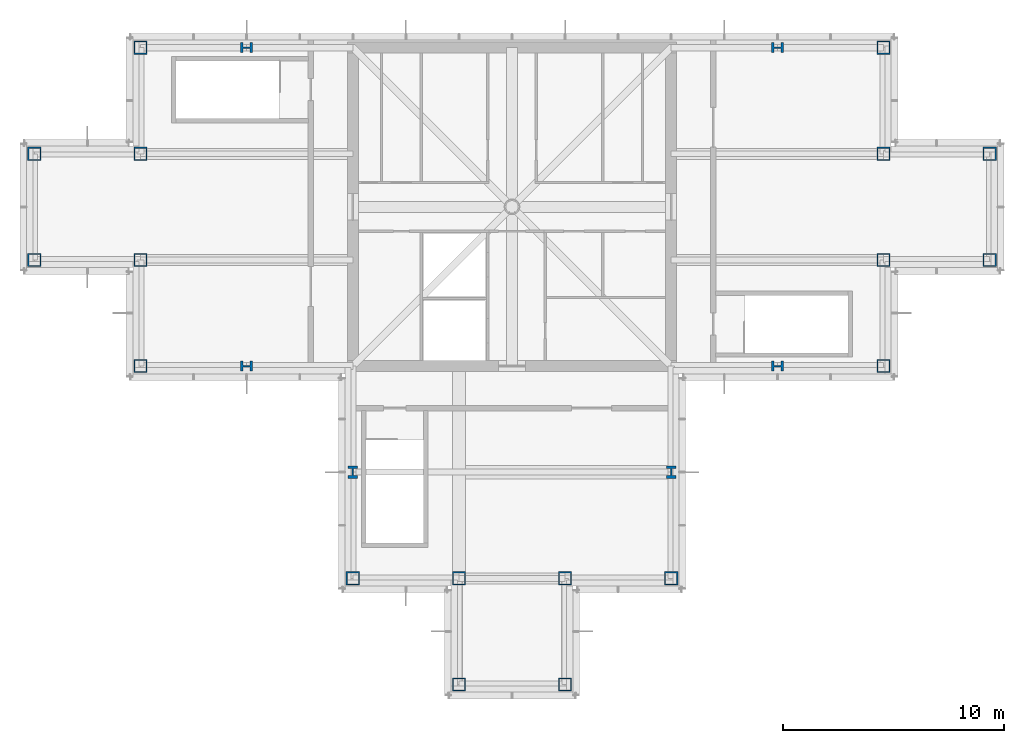
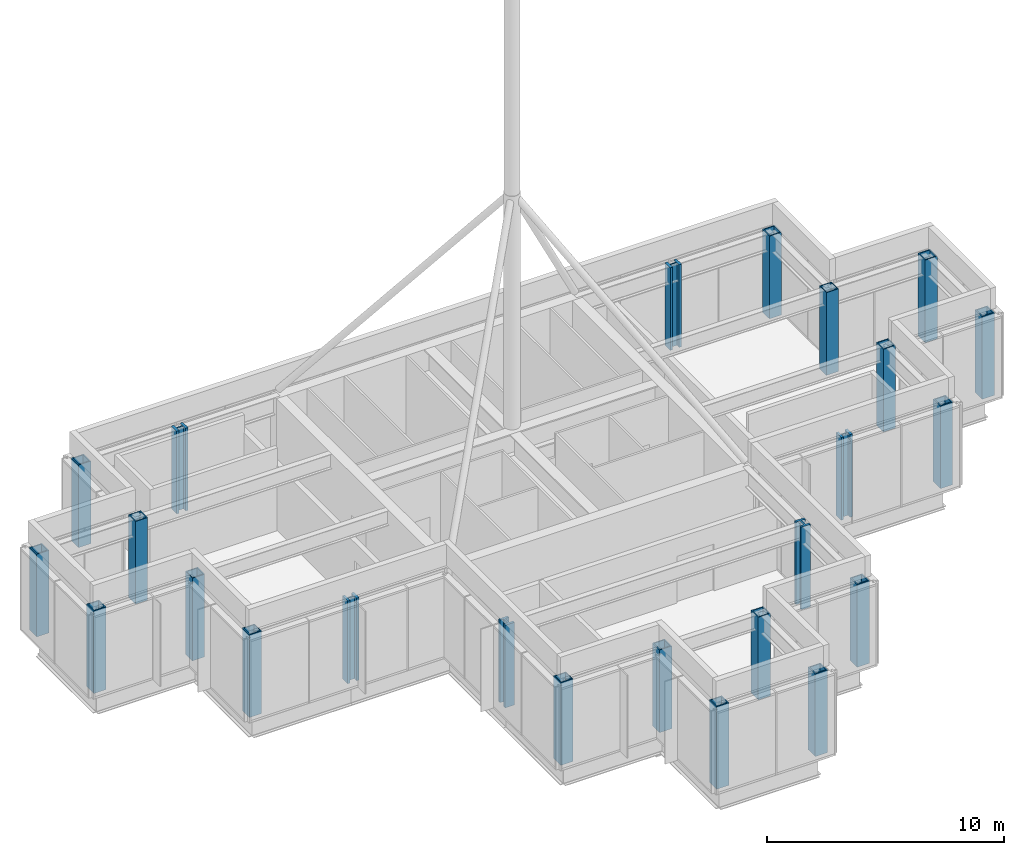
# One storey, part 1 of 10: 24 columns.
"""IFC4 building model written with IfcOpenShell, lengths in metres."""

from ifc_helpers import new_model, si_unit, direction, frame, origin, origin_2d, place, context, subcontext, project, spatial, hollow_rectangle, i_section, extrude, material, material_profile, profile_set, type_object, element, save


model = new_model("IFC4")

# Units and contexts
model_context = context("Model", 3, precision=1e-05, world=origin(), true_north=direction((0.0, 1.0)))
body_context = subcontext(model_context, "Body", "Model", "MODEL_VIEW")
ifc_project = project(units=[si_unit("LENGTHUNIT", "METRE"), si_unit("AREAUNIT", "SQUARE_METRE"), si_unit("VOLUMEUNIT", "CUBIC_METRE"), si_unit("PLANEANGLEUNIT", "RADIAN"), si_unit("MASSUNIT", "GRAM", prefix="KILO")], contexts=[model_context])

# Site, building, storey
site_placement = place(None, origin())
site = spatial("IfcSite", under=ifc_project, at=site_placement, CompositionType="ELEMENT")
building_placement = place(site_placement, origin())
building = spatial("IfcBuilding", under=site, at=building_placement, Name="Kvirike Care Tower", CompositionType="ELEMENT")
storey_placement = place(building_placement, frame((0.0, 0.0, 248.0)))
storey = spatial("IfcBuildingStorey", under=building, at=storey_placement, Name="L68", CompositionType="ELEMENT", Elevation=248.0)

# Columns
ifc_material_1 = material(Name="Steel S460", Category="steel")
ifc_material_profile_1 = material_profile(ifc_material_1, hollow_rectangle(XDim=0.60009765625, YDim=0.60009765625, WallThickness=0.050048828125, at=origin_2d()), Name="BX 600x600x50")
ifc_profile_set_1 = profile_set([ifc_material_profile_1], Name="Steel S460")
column_type_1 = type_object("IfcColumnType", Name="COLUMN BX 600x600x50", PredefinedType="COLUMN", material=ifc_profile_set_1)
for number, where, z_axis, x_axis, name in (
    (1, (0.0, 33.60009765625, 0.0), (0.0, 0.0, 1.0), (0.0, 1.0, 0.0), "Column H3 L68"),
    (2, (0.0, 38.39990234375, 0.0), (0.0, 0.0, 1.0), (0.0, 1.0, 0.0), "Column J3 L68"),
    (3, (4.800048828125, 28.800048828125, 0.0), (0.0, 0.0, 1.0), (0.0, 1.0, 0.0), "Column G4 L68"),
    (4, (4.800048828125, 33.60009765625, 0.0), (0.0, 0.0, 1.0), (0.0, 1.0, 0.0), "Column H4 L68"),
    (5, (4.800048828125, 38.39990234375, 0.0), (0.0, 0.0, 1.0), (0.0, 1.0, 0.0), "Column J4 L68"),
    (6, (4.800048828125, 43.199951171875, 0.0), (0.0, 0.0, 1.0), (0.0, 1.0, 0.0), "Column K4 L68"),
    (7, (14.39990234375, 19.199951171875, 0.0), (0.0, 0.0, 1.0), (0.0, 1.0, 0.0), "Column E6 L68"),
    (8, (19.199951171875, 14.39990234375, 0.0), (0.0, 0.0, 1.0), (0.0, 1.0, 0.0), "Column D7 L68"),
    (9, (19.199951171875, 19.199951171875, 0.0), (0.0, 0.0, 1.0), (0.0, 1.0, 0.0), "Column E7 L68"),
    (10, (24.0, 14.39990234375, 0.0), (0.0, 0.0, 1.0), (0.0, 1.0, 0.0), "Column D8 L68"),
    (11, (24.0, 19.199951171875, 0.0), (0.0, 0.0, 1.0), (0.0, 1.0, 0.0), "Column E8 L68"),
    (12, (28.800048828125, 19.199951171875, 0.0), (0.0, 0.0, 1.0), (0.0, 1.0, 0.0), "Column E9 L68"),
    (13, (38.39990234375, 28.800048828125, 0.0), (0.0, 0.0, 1.0), (0.0, 1.0, 0.0), "Column G11 L68"),
    (14, (38.39990234375, 33.60009765625, 0.0), (0.0, 0.0, 1.0), (0.0, 1.0, 0.0), "Column H11 L68"),
    (15, (38.39990234375, 38.39990234375, 0.0), (0.0, 0.0, 1.0), (0.0, 1.0, 0.0), "Column J11 L68"),
    (16, (38.39990234375, 43.199951171875, 0.0), (0.0, 0.0, 1.0), (0.0, 1.0, 0.0), "Column K11 L68"),
    (17, (43.199951171875, 33.60009765625, 0.0), (0.0, 0.0, 1.0), (0.0, 1.0, 0.0), "Column H12 L68"),
    (18, (43.199951171875, 38.39990234375, 0.0), (0.0, 0.0, 1.0), (0.0, 1.0, 0.0), "Column J12 L68"),
):
    element("IfcColumn", number, at=place(storey_placement, frame(where, z_axis=z_axis, x_axis=x_axis)), inside=storey, type_object=column_type_1, Name=name, PredefinedType="COLUMN", context=body_context, shape_type="SweptSolid", body=[
        extrude(hollow_rectangle(XDim=0.60009765625, YDim=0.60009765625, WallThickness=0.050048828125, at=origin_2d()), origin(), (0.0, 0.0, 1.0), 4.25),
    ])
ifc_material_2 = material(Name="Steel S460", Category="steel")
ifc_material_profile_2 = material_profile(ifc_material_2, i_section(OverallWidth=0.447998046875, OverallDepth=0.550048828125, WebThickness=0.072021484375, FlangeThickness=0.114990234375, FilletRadius=0.014892578125, at=origin_2d()), Name="HD 400x990")
ifc_profile_set_2 = profile_set([ifc_material_profile_2], Name="Steel S460")
column_type_2 = type_object("IfcColumnType", Name="COLUMN HD 400x990", PredefinedType="COLUMN", material=ifc_profile_set_2)
for number, where, z_axis, x_axis, name in (
    (19, (9.60009765625, 28.800048828125, 0.0), (0.0, 0.0, 1.0), (0.0, 1.0, 0.0), "Column G5 L68"),
    (20, (9.60009765625, 43.199951171875, 0.0), (0.0, 0.0, 1.0), (0.0, 1.0, 0.0), "Column K5 L68"),
    (21, (14.39990234375, 24.0, 0.0), (0.0, 0.0, 1.0), (1.0, 0.0, 0.0), "Column F6 L68"),
    (22, (28.800048828125, 24.0, 0.0), (0.0, 0.0, 1.0), (1.0, 0.0, 0.0), "Column F9 L68"),
    (23, (33.60009765625, 28.800048828125, 0.0), (0.0, 0.0, 1.0), (0.0, 1.0, 0.0), "Column G10 L68"),
    (24, (33.60009765625, 43.199951171875, 0.0), (0.0, 0.0, 1.0), (0.0, 1.0, 0.0), "Column K10 L68"),
):
    element("IfcColumn", number, at=place(storey_placement, frame(where, z_axis=z_axis, x_axis=x_axis)), inside=storey, type_object=column_type_2, Name=name, PredefinedType="COLUMN", context=body_context, shape_type="SweptSolid", body=[
        extrude(i_section(OverallWidth=0.447998046875, OverallDepth=0.550048828125, WebThickness=0.072021484375, FlangeThickness=0.114990234375, FilletRadius=0.014892578125, at=origin_2d()), origin(), (0.0, 0.0, 1.0), 4.25),
    ])

save(model, "model.ifc")
